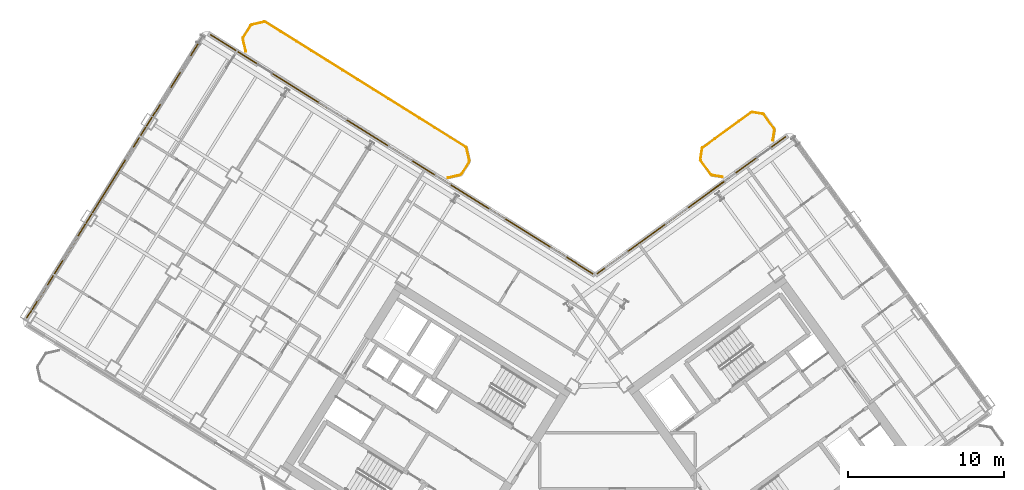
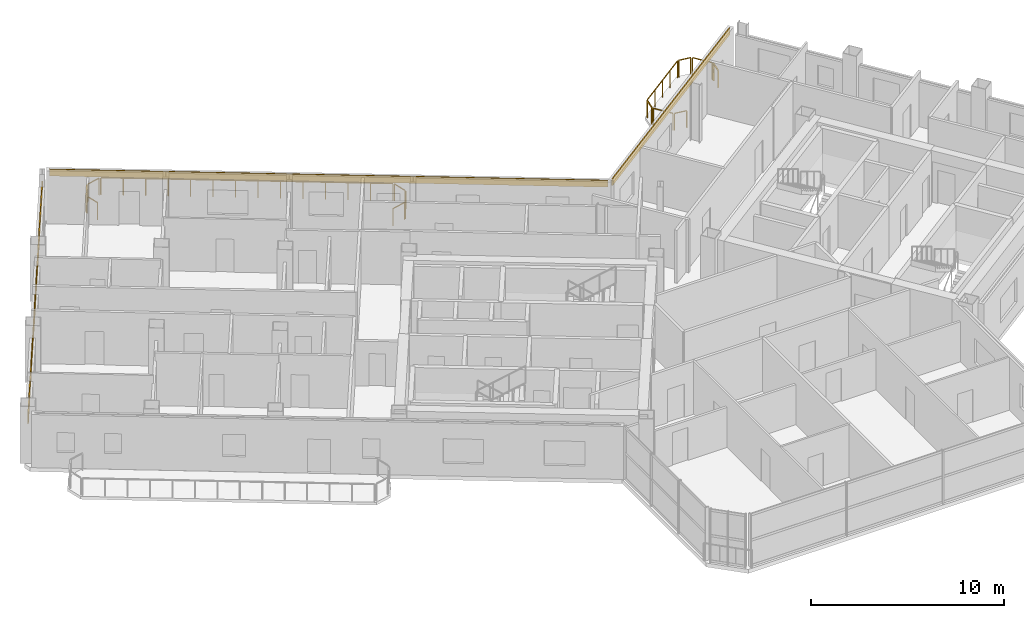
# One storey, part 21 of 21: 14 railings, 3 coverings.
"""IFC4 building model written with IfcOpenShell, lengths in metres."""

from ifc_helpers import new_model, si_unit, direction, frame, origin, origin_2d, place, context, subcontext, project, spatial, rectangle, extrude, source, transform, mapped, material, layer, layer_set, type_object, element, save


model = new_model("IFC4")

# Units and contexts
model_context = context("Model", 3, precision=1e-05, world=origin(), true_north=direction((0.0, 1.0)))
body_context = subcontext(model_context, "Body", "Model", "MODEL_VIEW")
ifc_project = project(units=[si_unit("LENGTHUNIT", "METRE"), si_unit("AREAUNIT", "SQUARE_METRE"), si_unit("VOLUMEUNIT", "CUBIC_METRE"), si_unit("PLANEANGLEUNIT", "RADIAN"), si_unit("MASSUNIT", "GRAM", prefix="KILO")], contexts=[model_context])

# Site, building, storey
site_placement = place(None, origin())
site = spatial("IfcSite", under=ifc_project, at=site_placement, CompositionType="ELEMENT")
building_placement = place(site_placement, origin())
building = spatial("IfcBuilding", under=site, at=building_placement, Name="Tlacorven Tower", CompositionType="ELEMENT")
storey_placement = place(building_placement, frame((0.0, 0.0, 184.199951171875)))
storey = spatial("IfcBuildingStorey", under=building, at=storey_placement, Name="L46", CompositionType="ELEMENT", Elevation=184.199951171875)

# Railings
ifc_material_1 = material(Name="Aluminium and painted steel balustrade", Category="steel")
railing_type = type_object("IfcRailingType", Name="RL-BAL-1100", PredefinedType="BALUSTRADE", material=ifc_material_1)
shared_shape_1 = source(origin(), body_context, "Body", "SweptSolid", [
    extrude(rectangle(XDim=0.048095703125, YDim=0.048095703125, at=origin_2d()), frame((0.0, 0.0, 1.076171875), z_axis=(0.974345290916, 0.225058334816, 0.0), x_axis=(-0.225058334816, 0.974345290916, 0.0)), (0.0, 0.0, 1.0), 0.80712890625),
    extrude(rectangle(XDim=0.0419921875, YDim=0.0419921875, at=origin_2d()), origin(), (0.0, 0.0, 1.0), 1.052001953125),
    extrude(rectangle(XDim=0.0419921875, YDim=0.0419921875, at=origin_2d()), frame((0.786376953125, 0.181640625, 0.0)), (0.0, 0.0, 1.0), 1.052001953125),
])
railing_1_placement = place(storey_placement, frame((20.2138671875, 47.643798828125, 0.0)))
element("IfcRailing", 1, at=railing_1_placement, inside=storey, type_object=railing_type, Name="BAL-L46-W-IN Guard Railing 6", PredefinedType="BALUSTRADE", context=body_context, shape_type="MappedRepresentation", body=[
    mapped(shared_shape_1, transform((0.0, 0.0, 0.0), scale=1.0)),
])
shared_shape_2 = source(origin(), body_context, "Body", "SweptSolid", [
    extrude(rectangle(XDim=0.048095703125, YDim=0.048095703125, at=origin_2d()), frame((0.0, 0.0, 1.076171875), z_axis=(-0.987661653326, 0.156602868908, 0.0), x_axis=(-0.156602868908, -0.987661653326, 0.0)), (0.0, 0.0, 1.0), 0.665771484375),
    extrude(rectangle(XDim=0.0419921875, YDim=0.0419921875, at=origin_2d()), origin(), (0.0, 0.0, 1.0), 1.052001953125),
    extrude(rectangle(XDim=0.0419921875, YDim=0.0419921875, at=origin_2d()), frame((-0.657470703125, 0.104248046875, 0.0)), (0.0, 0.0, 1.0), 1.052001953125),
])
railing_2_placement = place(storey_placement, frame((50.359130859375, 37.891845703125, 0.0)))
element("IfcRailing", 2, at=railing_2_placement, inside=storey, type_object=railing_type, Name="BAL-L46-E-IN Guard Railing 1", PredefinedType="BALUSTRADE", context=body_context, shape_type="MappedRepresentation", body=[
    mapped(shared_shape_2, transform((0.0, 0.0, 0.0), scale=1.0)),
])
shared_shape_3 = source(origin(), body_context, "Body", "SweptSolid", [
    extrude(rectangle(XDim=0.048095703125, YDim=0.048095703125, at=origin_2d()), frame((0.0, 0.0, 1.076171875), z_axis=(0.156602868908, 0.987661653326, 0.0), x_axis=(-0.987661653326, 0.156602868908, 0.0)), (0.0, 0.0, 1.0), 0.665771484375),
    extrude(rectangle(XDim=0.0419921875, YDim=0.0419921875, at=origin_2d()), origin(), (0.0, 0.0, 1.0), 1.052001953125),
    extrude(rectangle(XDim=0.0419921875, YDim=0.0419921875, at=origin_2d()), frame((0.104248046875, 0.657470703125, 0.0)), (0.0, 0.0, 1.0), 1.052001953125),
])
railing_3_placement = place(storey_placement, frame((48.947509765625, 39.033935546875, 0.0)))
element("IfcRailing", 3, at=railing_3_placement, inside=storey, type_object=railing_type, Name="BAL-L46-E-IN Guard Railing 3", PredefinedType="BALUSTRADE", context=body_context, shape_type="MappedRepresentation", body=[
    mapped(shared_shape_3, transform((0.0, 0.0, 0.0), scale=1.0)),
])
shared_shape_4 = source(origin(), body_context, "Body", "SweptSolid", [
    extrude(rectangle(XDim=0.048095703125, YDim=0.048095703125, at=origin_2d()), frame((0.0, 0.0, 1.076171875), z_axis=(-0.156245081039, -0.987718317463, 0.0), x_axis=(0.987718317463, -0.156245081039, 0.0)), (0.0, 0.0, 1.0), 0.66552734375),
    extrude(rectangle(XDim=0.0419921875, YDim=0.0419921875, at=origin_2d()), origin(), (0.0, 0.0, 1.0), 1.052001953125),
    extrude(rectangle(XDim=0.0419921875, YDim=0.0419921875, at=origin_2d()), frame((-0.10400390625, -0.657470703125, 0.0)), (0.0, 0.0, 1.0), 1.052001953125),
])
railing_4_placement = place(storey_placement, frame((53.689453125, 40.893310546875, 0.0)))
element("IfcRailing", 4, at=railing_4_placement, inside=storey, type_object=railing_type, Name="BAL-L46-E-IN Guard Railing 7", PredefinedType="BALUSTRADE", context=body_context, shape_type="MappedRepresentation", body=[
    mapped(shared_shape_4, transform((0.0, 0.0, 0.0), scale=1.0)),
])

# Covering
ifc_material_2 = material(Name="Precast concrete C45/55", Category="concrete")
ifc_layer = layer(ifc_material_2, 0.06005859375)
ifc_layer_set = layer_set([ifc_layer], Name="Precast concrete C45/55")
covering_type = type_object("IfcCoveringType", Name="CV-CLD-TERC", PredefinedType="CLADDING", material=ifc_layer_set)
shared_shape_5 = source(origin(), body_context, "Body", "SweptSolid", [
    extrude(rectangle(XDim=21.287353515625, YDim=0.06005859375, at=origin_2d()), origin(), (0.0, 0.0, 1.0), 0.419921875),
])
covering_1_placement = place(storey_placement, frame((11.419677734375, 37.864013671875, 2.405029296875), z_axis=(0.0, 0.0, 1.0), x_axis=(0.529919147866, 0.848048168871, 0.0)))
element("IfcCovering", 5, at=covering_1_placement, inside=storey, type_object=covering_type, Name="L46 Masonry-Frame Spandrel Cladding 2", PredefinedType="CLADDING", context=body_context, shape_type="MappedRepresentation", body=[
    mapped(shared_shape_5, transform((0.0, 0.0, 0.0), scale=1.0)),
])

# Railings
shared_shape_6 = source(origin(), body_context, "Body", "SweptSolid", [
    extrude(rectangle(XDim=0.048095703125, YDim=0.048095703125, at=origin_2d()), frame((0.0, 0.0, 1.076171875), z_axis=(0.529998940003, 0.847998304005, 0.0), x_axis=(-0.847998304005, 0.529998940003, 0.0)), (0.0, 0.0, 1.0), 0.912109375),
    extrude(rectangle(XDim=0.0419921875, YDim=0.0419921875, at=origin_2d()), origin(), (0.0, 0.0, 1.0), 1.052001953125),
    extrude(rectangle(XDim=0.0419921875, YDim=0.0419921875, at=origin_2d()), frame((0.4833984375, 0.7734375, 0.0)), (0.0, 0.0, 1.0), 1.052001953125),
])
railing_5_placement = place(storey_placement, frame((19.6552734375, 46.816650390625, 0.0)))
element("IfcRailing", 6, at=railing_5_placement, inside=storey, type_object=railing_type, Name="BAL-L46-W-IN Guard Railing 5", PredefinedType="BALUSTRADE", context=body_context, shape_type="MappedRepresentation", body=[
    mapped(shared_shape_6, transform((0.0, 0.0, 0.0), scale=1.0)),
])
shared_shape_7 = source(origin(), body_context, "Body", "SweptSolid", [
    extrude(rectangle(XDim=0.048095703125, YDim=0.048095703125, at=origin_2d()), frame((0.0, 0.0, 1.076171875), z_axis=(0.224992020761, -0.974360606036, 0.0), x_axis=(0.974360606036, 0.224992020761, 0.0)), (0.0, 0.0, 1.0), 0.807373046875),
    extrude(rectangle(XDim=0.0419921875, YDim=0.0419921875, at=origin_2d()), origin(), (0.0, 0.0, 1.0), 1.052001953125),
    extrude(rectangle(XDim=0.0419921875, YDim=0.0419921875, at=origin_2d()), frame((0.181640625, -0.78662109375, 0.0)), (0.0, 0.0, 1.0), 1.052001953125),
])
railing_6_placement = place(storey_placement, frame((33.965087890625, 39.72412109375, 0.0)))
element("IfcRailing", 7, at=railing_6_placement, inside=storey, type_object=railing_type, Name="BAL-L46-W-IN Guard Railing 1", PredefinedType="BALUSTRADE", context=body_context, shape_type="MappedRepresentation", body=[
    mapped(shared_shape_7, transform((0.0, 0.0, 0.0), scale=1.0)),
])
shared_shape_8 = source(origin(), body_context, "Body", "SweptSolid", [
    extrude(rectangle(XDim=0.048095703125, YDim=0.048095703125, at=origin_2d()), frame((0.0, 0.0, 1.076171875), z_axis=(-0.529998940003, -0.847998304005, 0.0), x_axis=(0.847998304005, -0.529998940003, 0.0)), (0.0, 0.0, 1.0), 0.912109375),
    extrude(rectangle(XDim=0.0419921875, YDim=0.0419921875, at=origin_2d()), origin(), (0.0, 0.0, 1.0), 1.052001953125),
    extrude(rectangle(XDim=0.0419921875, YDim=0.0419921875, at=origin_2d()), frame((-0.4833984375, -0.7734375, 0.0)), (0.0, 0.0, 1.0), 1.052001953125),
])
railing_7_placement = place(storey_placement, frame((34.131591796875, 38.846435546875, 0.0)))
element("IfcRailing", 8, at=railing_7_placement, inside=storey, type_object=railing_type, Name="BAL-L46-W-IN Guard Railing 2", PredefinedType="BALUSTRADE", context=body_context, shape_type="MappedRepresentation", body=[
    mapped(shared_shape_8, transform((0.0, 0.0, 0.0), scale=1.0)),
])
shared_shape_9 = source(origin(), body_context, "Body", "SweptSolid", [
    extrude(rectangle(XDim=0.048095703125, YDim=0.048095703125, at=origin_2d()), frame((0.0, 0.0, 1.076171875), z_axis=(-0.974360606036, -0.224992020761, 0.0), x_axis=(0.224992020761, -0.974360606036, 0.0)), (0.0, 0.0, 1.0), 0.807373046875),
    extrude(rectangle(XDim=0.0419921875, YDim=0.0419921875, at=origin_2d()), origin(), (0.0, 0.0, 1.0), 1.052001953125),
    extrude(rectangle(XDim=0.0419921875, YDim=0.0419921875, at=origin_2d()), frame((-0.78662109375, -0.181640625, 0.0)), (0.0, 0.0, 1.0), 1.052001953125),
])
railing_8_placement = place(storey_placement, frame((33.572998046875, 38.019287109375, 0.0)))
element("IfcRailing", 9, at=railing_8_placement, inside=storey, type_object=railing_type, Name="BAL-L46-W-IN Guard Railing 3", PredefinedType="BALUSTRADE", context=body_context, shape_type="MappedRepresentation", body=[
    mapped(shared_shape_9, transform((0.0, 0.0, 0.0), scale=1.0)),
])
shared_shape_10 = source(origin(), body_context, "Body", "SweptSolid", [
    extrude(rectangle(XDim=0.048095703125, YDim=0.048095703125, at=origin_2d()), frame((0.0, 0.0, 1.076171875), z_axis=(-0.22470489119, 0.974426863277, 0.0), x_axis=(-0.974426863277, -0.22470489119, 0.0)), (0.0, 0.0, 1.0), 0.807373046875),
    extrude(rectangle(XDim=0.0419921875, YDim=0.0419921875, at=origin_2d()), origin(), (0.0, 0.0, 1.0), 1.052001953125),
    extrude(rectangle(XDim=0.0419921875, YDim=0.0419921875, at=origin_2d()), frame((-0.181396484375, 0.78662109375, 0.0)), (0.0, 0.0, 1.0), 1.052001953125),
])
railing_9_placement = place(storey_placement, frame((19.821533203125, 45.93896484375, 0.0)))
element("IfcRailing", 10, at=railing_9_placement, inside=storey, type_object=railing_type, Name="BAL-L46-W-IN Guard Railing 4", PredefinedType="BALUSTRADE", context=body_context, shape_type="MappedRepresentation", body=[
    mapped(shared_shape_10, transform((0.0, 0.0, 0.0), scale=1.0)),
])
shared_shape_11 = source(origin(), body_context, "Body", "SweptSolid", [
    extrude(rectangle(XDim=0.048095703125, YDim=0.048095703125, at=origin_2d()), frame((0.0, 0.0, 1.076171875), z_axis=(0.848051830527, -0.529913287944, 0.0), x_axis=(0.529913287944, 0.848051830527, 0.0)), (0.0, 0.0, 1.0), 15.1171875),
    extrude(rectangle(XDim=0.0419921875, YDim=0.0419921875, at=origin_2d()), origin(), (0.0, 0.0, 1.0), 1.052001953125),
    extrude(rectangle(XDim=0.0419921875, YDim=0.0419921875, at=origin_2d()), frame((0.986083984375, -0.6162109375, 0.0)), (0.0, 0.0, 1.0), 1.052001953125),
    extrude(rectangle(XDim=0.0419921875, YDim=0.0419921875, at=origin_2d()), frame((1.972412109375, -1.232421875, 0.0)), (0.0, 0.0, 1.0), 1.052001953125),
    extrude(rectangle(XDim=0.0419921875, YDim=0.0419921875, at=origin_2d()), frame((2.95849609375, -1.8486328125, 0.0)), (0.0, 0.0, 1.0), 1.052001953125),
    extrude(rectangle(XDim=0.0419921875, YDim=0.0419921875, at=origin_2d()), frame((3.944580078125, -2.46484375, 0.0)), (0.0, 0.0, 1.0), 1.052001953125),
    extrude(rectangle(XDim=0.0419921875, YDim=0.0419921875, at=origin_2d()), frame((4.930908203125, -3.0810546875, 0.0)), (0.0, 0.0, 1.0), 1.052001953125),
    extrude(rectangle(XDim=0.0419921875, YDim=0.0419921875, at=origin_2d()), frame((5.9169921875, -3.697265625, 0.0)), (0.0, 0.0, 1.0), 1.052001953125),
    extrude(rectangle(XDim=0.0419921875, YDim=0.0419921875, at=origin_2d()), frame((6.903076171875, -4.3134765625, 0.0)), (0.0, 0.0, 1.0), 1.052001953125),
    extrude(rectangle(XDim=0.0419921875, YDim=0.0419921875, at=origin_2d()), frame((7.88916015625, -4.9296875, 0.0)), (0.0, 0.0, 1.0), 1.052001953125),
    extrude(rectangle(XDim=0.0419921875, YDim=0.0419921875, at=origin_2d()), frame((8.87548828125, -5.5458984375, 0.0)), (0.0, 0.0, 1.0), 1.052001953125),
    extrude(rectangle(XDim=0.0419921875, YDim=0.0419921875, at=origin_2d()), frame((9.861572265625, -6.162109375, 0.0)), (0.0, 0.0, 1.0), 1.052001953125),
    extrude(rectangle(XDim=0.0419921875, YDim=0.0419921875, at=origin_2d()), frame((10.84765625, -6.7783203125, 0.0)), (0.0, 0.0, 1.0), 1.052001953125),
    extrude(rectangle(XDim=0.0419921875, YDim=0.0419921875, at=origin_2d()), frame((11.833984375, -7.39453125, 0.0)), (0.0, 0.0, 1.0), 1.052001953125),
    extrude(rectangle(XDim=0.0419921875, YDim=0.0419921875, at=origin_2d()), frame((12.820068359375, -8.0107421875, 0.0)), (0.0, 0.0, 1.0), 1.052001953125),
])
railing_10_placement = place(storey_placement, frame((21.091552734375, 47.81005859375, 0.0)))
element("IfcRailing", 11, at=railing_10_placement, inside=storey, type_object=railing_type, Name="BAL-L46-W-IN Guard Railing 7", PredefinedType="BALUSTRADE", context=body_context, shape_type="MappedRepresentation", body=[
    mapped(shared_shape_11, transform((0.0, 0.0, 0.0), scale=1.0)),
])
shared_shape_12 = source(origin(), body_context, "Body", "SweptSolid", [
    extrude(rectangle(XDim=0.048095703125, YDim=0.048095703125, at=origin_2d()), frame((0.0, 0.0, 1.076171875), z_axis=(-0.587636431696, 0.809125097957, 0.0), x_axis=(-0.809125097957, -0.587636431696, 0.0)), (0.0, 0.0, 1.0), 1.1123046875),
    extrude(rectangle(XDim=0.0419921875, YDim=0.0419921875, at=origin_2d()), origin(), (0.0, 0.0, 1.0), 1.052001953125),
    extrude(rectangle(XDim=0.0419921875, YDim=0.0419921875, at=origin_2d()), frame((-0.653564453125, 0.89990234375, 0.0)), (0.0, 0.0, 1.0), 1.052001953125),
])
railing_11_placement = place(storey_placement, frame((49.622802734375, 38.044189453125, 0.0)))
element("IfcRailing", 12, at=railing_11_placement, inside=storey, type_object=railing_type, Name="BAL-L46-E-IN Guard Railing 2", PredefinedType="BALUSTRADE", context=body_context, shape_type="MappedRepresentation", body=[
    mapped(shared_shape_12, transform((0.0, 0.0, 0.0), scale=1.0)),
])
shared_shape_13 = source(origin(), body_context, "Body", "SweptSolid", [
    extrude(rectangle(XDim=0.048095703125, YDim=0.048095703125, at=origin_2d()), frame((0.0, 0.0, 1.076171875), z_axis=(0.809018102573, 0.587783726986, 0.0), x_axis=(-0.587783726986, 0.809018102573, 0.0)), (0.0, 0.0, 1.0), 3.817138671875),
    extrude(rectangle(XDim=0.0419921875, YDim=0.0419921875, at=origin_2d()), origin(), (0.0, 0.0, 1.0), 1.052001953125),
    extrude(rectangle(XDim=0.0419921875, YDim=0.0419921875, at=origin_2d()), frame((0.77197265625, 0.56103515625, 0.0)), (0.0, 0.0, 1.0), 1.052001953125),
    extrude(rectangle(XDim=0.0419921875, YDim=0.0419921875, at=origin_2d()), frame((1.5439453125, 1.121826171875, 0.0)), (0.0, 0.0, 1.0), 1.052001953125),
    extrude(rectangle(XDim=0.0419921875, YDim=0.0419921875, at=origin_2d()), frame((2.316162109375, 1.6826171875, 0.0)), (0.0, 0.0, 1.0), 1.052001953125),
    extrude(rectangle(XDim=0.0419921875, YDim=0.0419921875, at=origin_2d()), frame((3.088134765625, 2.24365234375, 0.0)), (0.0, 0.0, 1.0), 1.052001953125),
])
railing_12_placement = place(storey_placement, frame((49.10009765625, 39.77001953125, 0.0)))
element("IfcRailing", 13, at=railing_12_placement, inside=storey, type_object=railing_type, Name="BAL-L46-E-IN Guard Railing 4", PredefinedType="BALUSTRADE", context=body_context, shape_type="MappedRepresentation", body=[
    mapped(shared_shape_13, transform((0.0, 0.0, 0.0), scale=1.0)),
])
shared_shape_14 = source(origin(), body_context, "Body", "SweptSolid", [
    extrude(rectangle(XDim=0.048095703125, YDim=0.048095703125, at=origin_2d()), frame((0.0, 0.0, 1.076171875), z_axis=(0.987661653326, -0.156602868908, 0.0), x_axis=(0.156602868908, 0.987661653326, 0.0)), (0.0, 0.0, 1.0), 0.665771484375),
    extrude(rectangle(XDim=0.0419921875, YDim=0.0419921875, at=origin_2d()), origin(), (0.0, 0.0, 1.0), 1.052001953125),
    extrude(rectangle(XDim=0.0419921875, YDim=0.0419921875, at=origin_2d()), frame((0.657470703125, -0.104248046875, 0.0)), (0.0, 0.0, 1.0), 1.052001953125),
])
railing_13_placement = place(storey_placement, frame((52.278076171875, 42.035400390625, 0.0)))
element("IfcRailing", 14, at=railing_13_placement, inside=storey, type_object=railing_type, Name="BAL-L46-E-IN Guard Railing 5", PredefinedType="BALUSTRADE", context=body_context, shape_type="MappedRepresentation", body=[
    mapped(shared_shape_14, transform((0.0, 0.0, 0.0), scale=1.0)),
])
shared_shape_15 = source(origin(), body_context, "Body", "SweptSolid", [
    extrude(rectangle(XDim=0.048095703125, YDim=0.048095703125, at=origin_2d()), frame((0.0, 0.0, 1.076171875), z_axis=(0.587780115446, -0.809020726488, 0.0), x_axis=(0.809020726488, 0.587780115446, 0.0)), (0.0, 0.0, 1.0), 1.1123046875),
    extrude(rectangle(XDim=0.0419921875, YDim=0.0419921875, at=origin_2d()), origin(), (0.0, 0.0, 1.0), 1.052001953125),
    extrude(rectangle(XDim=0.0419921875, YDim=0.0419921875, at=origin_2d()), frame((0.65380859375, -0.89990234375, 0.0)), (0.0, 0.0, 1.0), 1.052001953125),
])
railing_14_placement = place(storey_placement, frame((53.01416015625, 41.883056640625, 0.0)))
element("IfcRailing", 15, at=railing_14_placement, inside=storey, type_object=railing_type, Name="BAL-L46-E-IN Guard Railing 6", PredefinedType="BALUSTRADE", context=body_context, shape_type="MappedRepresentation", body=[
    mapped(shared_shape_15, transform((0.0, 0.0, 0.0), scale=1.0)),
])

# Coverings
shared_shape_16 = source(origin(), body_context, "Body", "SweptSolid", [
    extrude(rectangle(XDim=28.923095703125, YDim=0.06005859375, at=origin_2d()), origin(), (0.0, 0.0, 1.0), 0.419921875),
])
covering_2_placement = place(storey_placement, frame((29.815185546875, 39.34033203125, 2.93017578125), z_axis=(0.0, 0.0, 1.0), x_axis=(0.848048220257, -0.52991906563, 0.0)))
element("IfcCovering", 16, at=covering_2_placement, inside=storey, type_object=covering_type, Name="L46 Masonry-Frame Spandrel Cladding 3", PredefinedType="CLADDING", context=body_context, shape_type="MappedRepresentation", body=[
    mapped(shared_shape_16, transform((0.0, 0.0, 0.0), scale=1.0)),
])
shared_shape_17 = source(origin(), body_context, "Body", "SweptSolid", [
    extrude(rectangle(XDim=14.923095703125, YDim=0.06005859375, at=origin_2d()), origin(), (0.0, 0.0, 1.0), 0.419921875),
])
covering_3_placement = place(storey_placement, frame((48.3642578125, 36.0712890625, 2.93017578125), z_axis=(0.0, 0.0, 1.0), x_axis=(0.809016703631, 0.587785652468, 0.0)))
element("IfcCovering", 17, at=covering_3_placement, inside=storey, type_object=covering_type, Name="L46 Masonry-Frame Spandrel Cladding 4", PredefinedType="CLADDING", context=body_context, shape_type="MappedRepresentation", body=[
    mapped(shared_shape_17, transform((0.0, 0.0, 0.0), scale=1.0)),
])

save(model, "model.ifc")
